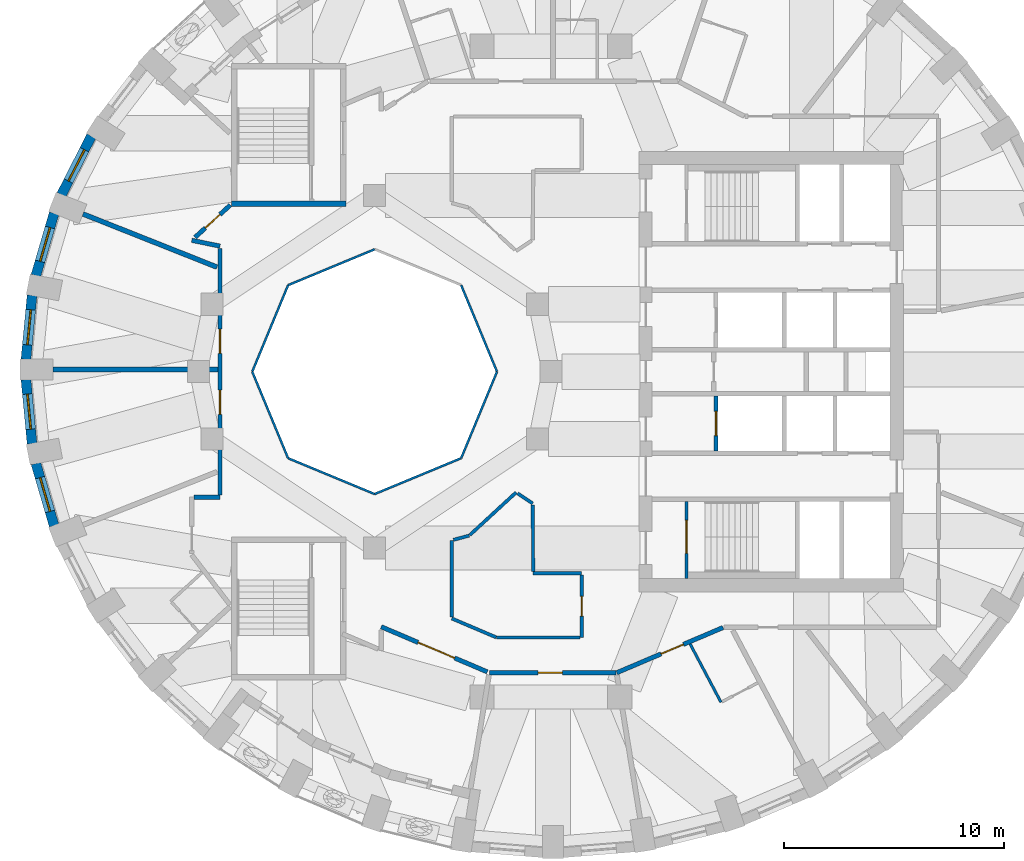
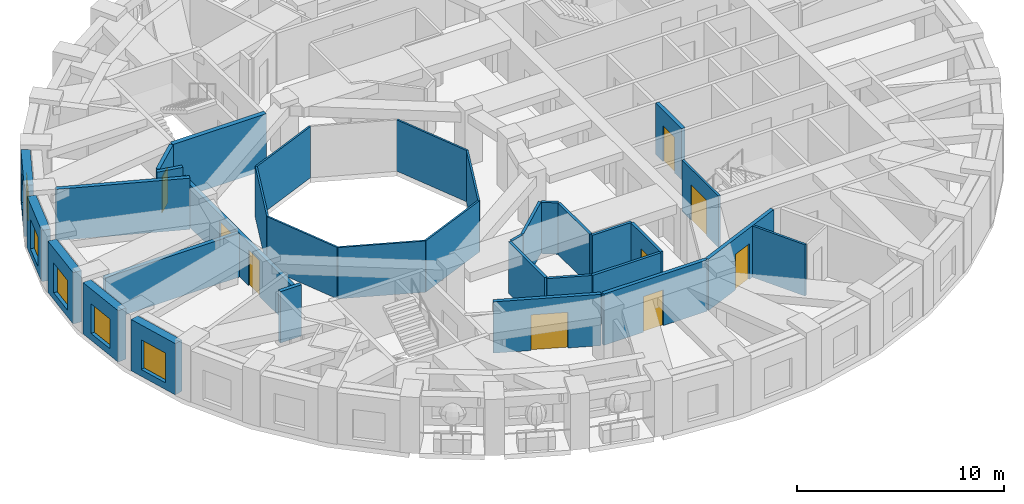
# One storey, part 4 of 12: 34 walls, 9 doors, 5 windows, 14 openings.
"""IFC4 building model written with IfcOpenShell, lengths in metres."""

import ifcopenshell
import ifcopenshell.guid

model = None  # the IFC model being written
_history = None  # IfcOwnerHistory: only IFC2X3 demands one
_inside = {}  # id of a spatial element -> (the spatial element, [elements in it])
_under = {}  # id of a project, library or spatial element -> (it, [spatial elements below it])
_declared = {}  # id of a project -> (the project, [libraries it declares])
_typed = {}  # id of a type object -> (the type object, [elements of that type])
_made_of = {}  # id of a material, layer set ... -> (it, [elements and type objects made of it])


def new_model(schema):
    """Start an empty IFC model of exactly this schema.

    Asked for "IFC4X3", IfcOpenShell would pick the latest addendum, in which some entities
    have other attributes; the version numbers below select the first issue.
    IFC2X3 requires an IfcOwnerHistory on every rooted entity: one is made here for all.
    """
    global model, _history
    if schema == "IFC4X3":
        model = ifcopenshell.file(schema_version=(4, 3, 0, 0))
    else:
        model = ifcopenshell.file(schema=schema)
    _inside.clear()
    _under.clear()
    _declared.clear()
    _typed.clear()
    _made_of.clear()
    _history = None
    if model.schema == "IFC2X3":
        org = make("IfcOrganization", Name="unknown")
        user = make(
            "IfcPersonAndOrganization",
            ThePerson=make("IfcPerson", FamilyName="unknown"),
            TheOrganization=org,
        )
        app = make(
            "IfcApplication",
            ApplicationDeveloper=org,
            Version="unknown",
            ApplicationFullName="unknown",
            ApplicationIdentifier="unknown",
        )
        _history = make(
            "IfcOwnerHistory",
            OwningUser=user,
            OwningApplication=app,
            ChangeAction="ADDED",
            CreationDate=0,
        )
    return model


def make(cls, **values):
    """One entity of the class cls with the attributes given. An attribute that is None is left unset."""
    return model.create_entity(
        cls, **{name: value for name, value in values.items() if value is not None}
    )


def rooted(cls, **values):
    """An entity with a GlobalId (a new one), such as an element, a storey or a relation."""
    return make(cls, GlobalId=ifcopenshell.guid.new(), OwnerHistory=_history, **values)


def si_unit(unit_type, name, prefix=None):
    """IfcSIUnit, for example si_unit("LENGTHUNIT", "METRE", prefix="MILLI")."""
    return make("IfcSIUnit", UnitType=unit_type, Prefix=prefix, Name=name)


def assignment(units):
    """IfcUnitAssignment: the units of a project."""
    return None if units is None else make("IfcUnitAssignment", Units=units)


def point(xyz):
    """IfcCartesianPoint."""
    return None if xyz is None else make("IfcCartesianPoint", Coordinates=xyz)


def direction(xyz):
    """IfcDirection."""
    return None if xyz is None else make("IfcDirection", DirectionRatios=xyz)


def frame(location, z_axis=None, x_axis=None):
    """IfcAxis2Placement3D, a coordinate frame: its origin and axes. An axis left out is left unset."""
    return make(
        "IfcAxis2Placement3D",
        Location=point(location),
        Axis=direction(z_axis),
        RefDirection=direction(x_axis),
    )


def frame_2d(location, x_axis=None):
    """IfcAxis2Placement2D, a coordinate frame in the plane: its origin and x axis."""
    return make(
        "IfcAxis2Placement2D", Location=point(location), RefDirection=direction(x_axis)
    )


def origin():
    """The frame at (0, 0, 0) with its axes left unset."""
    return frame((0.0, 0.0, 0.0))


def place(relative_to, where):
    """IfcLocalPlacement: puts the frame where relative to a parent placement (None: the world)."""
    return make(
        "IfcLocalPlacement", PlacementRelTo=relative_to, RelativePlacement=where
    )


def context(
    kind, dimensions, precision=None, world=None, true_north=None, identifier=None
):
    """IfcGeometricRepresentationContext, for example the 3D "Model" context."""
    return make(
        "IfcGeometricRepresentationContext",
        ContextIdentifier=identifier,
        ContextType=kind,
        CoordinateSpaceDimension=dimensions,
        Precision=precision,
        WorldCoordinateSystem=world,
        TrueNorth=true_north,
    )


def subcontext(parent, identifier, kind, view, scale=None):
    """IfcGeometricRepresentationSubContext, for example "Body" below "Model"."""
    return make(
        "IfcGeometricRepresentationSubContext",
        ContextIdentifier=identifier,
        ContextType=kind,
        ParentContext=parent,
        TargetScale=scale,
        TargetView=view,
    )


def project(units=None, contexts=None):
    """IfcProject with its units and contexts."""
    return rooted(
        "IfcProject",
        Name="project",
        RepresentationContexts=contexts,
        UnitsInContext=assignment(units),
    )


def spatial(cls, under=None, at=None, **own):
    """A site, building, storey or space (cls), placed at a placement, below another one or the project."""
    s = rooted(cls, ObjectPlacement=at, **own)
    if under is not None:
        _under.setdefault(under.id(), (under, []))[1].append(s)
    return s


def profile(cls, at=None, kind="AREA", **sizes):
    """A parametric profile (cls). Its sizes go by their IFC names, for example OverallWidth=200.0."""
    return make(cls, ProfileType=kind, Position=at, **sizes)


def rectangle(**sizes):
    """IfcRectangleProfileDef."""
    return profile("IfcRectangleProfileDef", **sizes)


def extrude(swept, where, along, depth):
    """IfcExtrudedAreaSolid: the profile swept, set in the frame where, extruded along a direction by depth."""
    return make(
        "IfcExtrudedAreaSolid",
        SweptArea=swept,
        Position=where,
        ExtrudedDirection=direction(along),
        Depth=depth,
    )


def shape(context_of_items, identifier, shape_type, items):
    """IfcShapeRepresentation: the items that make up one representation, for example the "Body"."""
    return make(
        "IfcShapeRepresentation",
        ContextOfItems=context_of_items,
        RepresentationIdentifier=identifier,
        RepresentationType=shape_type,
        Items=items,
    )


def material(Name=None, Category=None):
    """IfcMaterial."""
    return make("IfcMaterial", Name=Name, Category=Category)


def layer(
    of_material, thickness, ventilated=None, Name=None, Category=None, Priority=None
):
    """IfcMaterialLayer: one layer of a wall or slab, of a material (None: an air gap)."""
    return make(
        "IfcMaterialLayer",
        Material=of_material,
        LayerThickness=thickness,
        IsVentilated=ventilated,
        Name=Name,
        Category=Category,
        Priority=Priority,
    )


def layer_set(layers, Name=None):
    """IfcMaterialLayerSet."""
    return make("IfcMaterialLayerSet", MaterialLayers=layers, LayerSetName=Name)


def made_of(thing, what):
    """Note that an element or type object is made of a material, layer set ...; save() writes the relation."""
    if what is not None:
        _made_of.setdefault(what.id(), (what, []))[1].append(thing)
    return thing


def type_object(cls, material=None, **own):
    """A type object (cls), such as IfcWallType, which elements share."""
    return made_of(rooted(cls, **own), material)


def element(
    cls,
    number,
    at=None,
    inside=None,
    cuts=None,
    type_object=None,
    material=None,
    context=None,
    identifier="Body",
    shape_type=None,
    held_by="IfcProductDefinitionShape",
    body=None,
    shapes=None,
    **own,
):
    """One element of the class cls, such as IfcWall. Its Tag is "e" and its number.

    at: its placement. inside: the storey or other place that contains it. cuts: it is an
    opening in that element (IfcRelVoidsElement). A single representation is given by context,
    identifier, shape_type and body (its items); several are given by shapes. held_by: the class
    of the entity that holds the representations. save() writes the other relations.
    """
    e = rooted(cls, Tag="e%d" % number, ObjectPlacement=at, **own)
    if body is not None:
        shapes = [shape(context, identifier, shape_type, body)]
    if shapes is not None:
        e.Representation = make(held_by, Representations=shapes)
    if inside is not None:
        _inside.setdefault(inside.id(), (inside, []))[1].append(e)
    if cuts is not None:
        rooted(
            "IfcRelVoidsElement", RelatingBuildingElement=cuts, RelatedOpeningElement=e
        )
    if type_object is not None:
        _typed.setdefault(type_object.id(), (type_object, []))[1].append(e)
    return made_of(e, material)


def fill(opening, filler):
    """IfcRelFillsElement: the door or window that sits in an opening."""
    return rooted(
        "IfcRelFillsElement",
        RelatingOpeningElement=opening,
        RelatedBuildingElement=filler,
    )


def aggregate(whole, parts):
    """IfcRelAggregates: a whole, such as a stair, and the parts it consists of."""
    return rooted("IfcRelAggregates", RelatingObject=whole, RelatedObjects=parts)


def save(model, path):
    """Write the relations noted so far, then the file.

    IfcRelAggregates (storeys below a building ...), IfcRelContainedInSpatialStructure (elements
    in a storey), IfcRelDefinesByType, IfcRelAssociatesMaterial and IfcRelDeclares: one each for
    every whole, place, type object, material and project.
    """
    for whole, parts in _under.values():
        aggregate(whole, parts)
    for where, things in _inside.values():
        rooted(
            "IfcRelContainedInSpatialStructure",
            RelatedElements=things,
            RelatingStructure=where,
        )
    for kind, things in _typed.values():
        rooted("IfcRelDefinesByType", RelatedObjects=things, RelatingType=kind)
    for what, things in _made_of.values():
        rooted("IfcRelAssociatesMaterial", RelatedObjects=things, RelatingMaterial=what)
    for by, libraries in _declared.values():
        rooted("IfcRelDeclares", RelatingContext=by, RelatedDefinitions=libraries)
    model.write(path)


model = new_model("IFC4")

# Units and contexts
model_context = context("Model", 3, precision=1e-05, world=origin(), true_north=direction((0.0, 1.0)))
body_context = subcontext(model_context, "Body", "Model", "MODEL_VIEW")
ifc_project = project(units=[si_unit("LENGTHUNIT", "METRE"), si_unit("AREAUNIT", "SQUARE_METRE"), si_unit("VOLUMEUNIT", "CUBIC_METRE"), si_unit("PLANEANGLEUNIT", "RADIAN"), si_unit("MASSUNIT", "GRAM", prefix="KILO")], contexts=[model_context])

# Site, building, storey
site_placement = place(None, origin())
site = spatial("IfcSite", under=ifc_project, at=site_placement, CompositionType="ELEMENT")
building_placement = place(site_placement, origin())
building = spatial("IfcBuilding", under=site, at=building_placement, Name="Taillehof Tower", CompositionType="ELEMENT")
storey_placement = place(building_placement, frame((0.0, 0.0, 171.5)))
storey = spatial("IfcBuildingStorey", under=building, at=storey_placement, Name="L48", CompositionType="ELEMENT", Elevation=171.5)

# Walls
ifc_material_1 = material(Name="Fire-resisting glass in steel frame", Category="steel")
ifc_layer_1 = layer(ifc_material_1, 0.10009765625)
ifc_layer_set_1 = layer_set([ifc_layer_1], Name="Atrium fire-resisting screen EI 60 100")
wall_type_1 = type_object("IfcWallType", Name="Atrium fire-resisting screen EI 60 100", PredefinedType="PARTITIONING", material=ifc_layer_set_1)
for number, where, z_axis, x_axis, name in (
    (1, (-2.44580078125, 0.0, 0.0), (0.0, 0.0, 1.0), (-0.382730523909, -0.923860025149, 0.0), "Atrium screen"),
    (2, (-4.07275390625, -3.92724609375, 0.0), (0.0, 0.0, 1.0), (-0.923860025149, -0.382730523909, 0.0), "Atrium screen"),
    (3, (-8.0, -5.55419921875, 0.0), (0.0, 0.0, 1.0), (-0.923860025149, 0.382730523909, 0.0), "Atrium screen"),
    (4, (-11.92724609375, -3.92724609375, 0.0), (0.0, 0.0, 1.0), (-0.382730523909, 0.923860025149, 0.0), "Atrium screen"),
    (5, (-13.55419921875, 0.0, 0.0), (0.0, 0.0, 1.0), (0.382730523909, 0.923860025149, 0.0), "Atrium screen"),
    (6, (-11.92724609375, 3.92724609375, 0.0), (0.0, 0.0, 1.0), (0.923860025149, 0.382730523909, 0.0), "Atrium screen"),
    (7, (-4.07275390625, 3.92724609375, 0.0), (0.0, 0.0, 1.0), (0.382730523909, -0.923860025149, 0.0), "Atrium screen"),
):
    element("IfcWall", number, at=place(storey_placement, frame(where, z_axis=z_axis, x_axis=x_axis)), inside=storey, type_object=wall_type_1, Name=name, PredefinedType="PARTITIONING", context=body_context, shape_type="SweptSolid", body=[
        extrude(rectangle(XDim=4.2509765625, YDim=0.10009765625, at=frame_2d((2.12548828125, 0.0))), origin(), (0.0, 0.0, 1.0), 3.02001953125),
    ])

# Wall, opening, window
ifc_material_2 = material(Name="Brick masonry", Category="masonry")
ifc_layer_2 = layer(ifc_material_2, 0.449951171875)
ifc_layer_set_2 = layer_set([ifc_layer_2], Name="Brick infill wall 450")
wall_type_2 = type_object("IfcWallType", Name="Brick infill wall 450", PredefinedType="SOLIDWALL", material=ifc_layer_set_2)
wall_1_placement = place(storey_placement, frame((-20.859375, 10.697021484375, 0.0), z_axis=(0.0, 0.0, 1.0), x_axis=(-0.454133999889, -0.890933392653, 0.0)))
wall_1 = element("IfcWall", 8, at=wall_1_placement, inside=storey, type_object=wall_type_2, Name="Brick wall L48 bay 16", PredefinedType="SOLIDWALL", context=body_context, shape_type="SweptSolid", body=[
    extrude(rectangle(XDim=2.98583984375, YDim=0.449951171875, at=frame_2d((1.492919921875, 0.0))), origin(), (0.0, 0.0, 1.0), 3.02001953125),
])
opening_1_placement = place(wall_1_placement, frame((0.69287109375, 0.0, 0.39990234375)))
opening_1 = element("IfcOpeningElement", 9, at=opening_1_placement, cuts=wall_1, Name="Opening W3", PredefinedType="OPENING", context=body_context, shape_type="SweptSolid", body=[
    extrude(rectangle(XDim=1.60009765625, YDim=1.75, at=frame_2d((0.800048828125, 0.875))), frame((0.0, 0.23486328125, 0.0), z_axis=(0.0, -1.0, 0.0), x_axis=(1.0, 0.0, 0.0)), (0.0, 0.0, 1.0), 0.469970703125),
])
ifc_material_3 = material(Name="Aluminium window frame with clear double glazing", Category="aluminium")
window_type = type_object("IfcWindowType", Name="Deep-set window 1600x1750", PartitioningType="SINGLE_PANEL", PredefinedType="WINDOW", material=ifc_material_3)
window_1_placement = place(opening_1_placement, origin())
window_1 = element("IfcWindow", 10, at=window_1_placement, inside=storey, type_object=window_type, Name="W3", OverallHeight=1.75, OverallWidth=1.60009765625, PartitioningType="SINGLE_PANEL", PredefinedType="WINDOW", context=body_context, shape_type="SweptSolid", body=[
    extrude(rectangle(XDim=1.60009765625, YDim=1.75, at=frame_2d((0.800048828125, 0.875))), frame((0.0, 0.034912109375, 0.0), z_axis=(0.0, -1.0, 0.0), x_axis=(1.0, 0.0, 0.0)), (0.0, 0.0, 1.0), 0.06005859375),
])
fill(opening_1, window_1)

wall_2_placement = place(storey_placement, frame((-22.55126953125, 7.19091796875, 0.0), z_axis=(0.0, 0.0, 1.0), x_axis=(-0.281125768296, -0.959670934435, 0.0)))
wall_2 = element("IfcWall", 11, at=wall_2_placement, inside=storey, type_object=wall_type_2, Name="Brick wall L48 bay 17", PredefinedType="SOLIDWALL", context=body_context, shape_type="SweptSolid", body=[
    extrude(rectangle(XDim=2.947509765625, YDim=0.449951171875, at=frame_2d((1.4736328125, 0.0))), origin(), (0.0, 0.0, 1.0), 3.02001953125),
])
opening_2_placement = place(wall_2_placement, frame((0.673583984375, 0.0, 0.39990234375)))
opening_2 = element("IfcOpeningElement", 12, at=opening_2_placement, cuts=wall_2, Name="Opening W3", PredefinedType="OPENING", context=body_context, shape_type="SweptSolid", body=[
    extrude(rectangle(XDim=1.60009765625, YDim=1.75, at=frame_2d((0.800048828125, 0.875))), frame((0.0, 0.23486328125, 0.0), z_axis=(0.0, -1.0, 0.0), x_axis=(1.0, 0.0, 0.0)), (0.0, 0.0, 1.0), 0.469970703125),
])
window_2_placement = place(opening_2_placement, origin())
window_2 = element("IfcWindow", 13, at=window_2_placement, inside=storey, type_object=window_type, Name="W3", OverallHeight=1.75, OverallWidth=1.60009765625, PartitioningType="SINGLE_PANEL", PredefinedType="WINDOW", context=body_context, shape_type="SweptSolid", body=[
    extrude(rectangle(XDim=1.60009765625, YDim=1.75, at=frame_2d((0.800048828125, 0.875))), frame((0.0, 0.034912109375, 0.0), z_axis=(0.0, -1.0, 0.0), x_axis=(1.0, 0.0, 0.0)), (0.0, 0.0, 1.0), 0.06005859375),
])
fill(opening_2, window_2)

wall_3_placement = place(storey_placement, frame((-23.5517578125, 3.468505859375, 0.0), z_axis=(0.0, 0.0, 1.0), x_axis=(-0.095265737322, -0.995451876935, 0.0)))
wall_3 = element("IfcWall", 14, at=wall_3_placement, inside=storey, type_object=wall_type_2, Name="Brick wall L48 bay 18", PredefinedType="SOLIDWALL", context=body_context, shape_type="SweptSolid", body=[
    extrude(rectangle(XDim=2.9267578125, YDim=0.449951171875, at=frame_2d((1.46337890625, 0.0))), origin(), (0.0, 0.0, 1.0), 3.02001953125),
])
opening_3_placement = place(wall_3_placement, frame((0.663330078125, 0.0, 0.39990234375)))
opening_3 = element("IfcOpeningElement", 15, at=opening_3_placement, cuts=wall_3, Name="Opening W3", PredefinedType="OPENING", context=body_context, shape_type="SweptSolid", body=[
    extrude(rectangle(XDim=1.60009765625, YDim=1.75, at=frame_2d((0.800048828125, 0.875))), frame((0.0, 0.23486328125, 0.0), z_axis=(0.0, -1.0, 0.0), x_axis=(1.0, 0.0, 0.0)), (0.0, 0.0, 1.0), 0.469970703125),
])
window_3_placement = place(opening_3_placement, origin())
window_3 = element("IfcWindow", 16, at=window_3_placement, inside=storey, type_object=window_type, Name="W3", OverallHeight=1.75, OverallWidth=1.60009765625, PartitioningType="SINGLE_PANEL", PredefinedType="WINDOW", context=body_context, shape_type="SweptSolid", body=[
    extrude(rectangle(XDim=1.60009765625, YDim=1.75, at=frame_2d((0.800048828125, 0.875))), frame((0.0, 0.034912109375, 0.0), z_axis=(0.0, -1.0, 0.0), x_axis=(1.0, 0.0, 0.0)), (0.0, 0.0, 1.0), 0.06005859375),
])
fill(opening_3, window_3)

wall_4_placement = place(storey_placement, frame((-23.83056640625, -0.35498046875, 0.0), z_axis=(0.0, 0.0, 1.0), x_axis=(0.095257827044, -0.995452633924, 0.0)))
wall_4 = element("IfcWall", 17, at=wall_4_placement, inside=storey, type_object=wall_type_2, Name="Brick wall L48 bay 19", PredefinedType="SOLIDWALL", context=body_context, shape_type="SweptSolid", body=[
    extrude(rectangle(XDim=2.927001953125, YDim=0.449951171875, at=frame_2d((1.46337890625, 0.0))), origin(), (0.0, 0.0, 1.0), 3.02001953125),
])
opening_4_placement = place(wall_4_placement, frame((0.663330078125, 0.0, 0.39990234375)))
opening_4 = element("IfcOpeningElement", 18, at=opening_4_placement, cuts=wall_4, Name="Opening W3", PredefinedType="OPENING", context=body_context, shape_type="SweptSolid", body=[
    extrude(rectangle(XDim=1.60009765625, YDim=1.75, at=frame_2d((0.800048828125, 0.875))), frame((0.0, 0.23486328125, 0.0), z_axis=(0.0, -1.0, 0.0), x_axis=(1.0, 0.0, 0.0)), (0.0, 0.0, 1.0), 0.469970703125),
])
window_4_placement = place(opening_4_placement, origin())
window_4 = element("IfcWindow", 19, at=window_4_placement, inside=storey, type_object=window_type, Name="W3", OverallHeight=1.75, OverallWidth=1.60009765625, PartitioningType="SINGLE_PANEL", PredefinedType="WINDOW", context=body_context, shape_type="SweptSolid", body=[
    extrude(rectangle(XDim=1.60009765625, YDim=1.75, at=frame_2d((0.800048828125, 0.875))), frame((0.0, 0.034912109375, 0.0), z_axis=(0.0, -1.0, 0.0), x_axis=(1.0, 0.0, 0.0)), (0.0, 0.0, 1.0), 0.06005859375),
])
fill(opening_4, window_4)

wall_5_placement = place(storey_placement, frame((-23.3798828125, -4.162353515625, 0.0), z_axis=(0.0, 0.0, 1.0), x_axis=(0.281125768296, -0.959670934435, 0.0)))
wall_5 = element("IfcWall", 20, at=wall_5_placement, inside=storey, type_object=wall_type_2, Name="Brick wall L48 bay 20", PredefinedType="SOLIDWALL", context=body_context, shape_type="SweptSolid", body=[
    extrude(rectangle(XDim=2.947509765625, YDim=0.449951171875, at=frame_2d((1.4736328125, 0.0))), origin(), (0.0, 0.0, 1.0), 3.02001953125),
])
opening_5_placement = place(wall_5_placement, frame((0.673583984375, 0.0, 0.39990234375)))
opening_5 = element("IfcOpeningElement", 21, at=opening_5_placement, cuts=wall_5, Name="Opening W3", PredefinedType="OPENING", context=body_context, shape_type="SweptSolid", body=[
    extrude(rectangle(XDim=1.60009765625, YDim=1.75, at=frame_2d((0.800048828125, 0.875))), frame((0.0, 0.23486328125, 0.0), z_axis=(0.0, -1.0, 0.0), x_axis=(1.0, 0.0, 0.0)), (0.0, 0.0, 1.0), 0.469970703125),
])
window_5_placement = place(opening_5_placement, origin())
window_5 = element("IfcWindow", 22, at=window_5_placement, inside=storey, type_object=window_type, Name="W3", OverallHeight=1.75, OverallWidth=1.60009765625, PartitioningType="SINGLE_PANEL", PredefinedType="WINDOW", context=body_context, shape_type="SweptSolid", body=[
    extrude(rectangle(XDim=1.60009765625, YDim=1.75, at=frame_2d((0.800048828125, 0.875))), frame((0.0, 0.034912109375, 0.0), z_axis=(0.0, -1.0, 0.0), x_axis=(1.0, 0.0, 0.0)), (0.0, 0.0, 1.0), 0.06005859375),
])
fill(opening_5, window_5)

# Wall
ifc_material_4 = material(Name="Gypsum board on steel studs, two layers each side", Category="steel")
ifc_layer_3 = layer(ifc_material_4, 0.199951171875)
ifc_layer_set_3 = layer_set([ifc_layer_3], Name="Compartment wall corridor 200")
wall_type_3 = type_object("IfcWallType", Name="Compartment wall corridor 200", PredefinedType="PARTITIONING", material=ifc_layer_set_3)
wall_6_placement = place(storey_placement, frame((-15.0185546875, 5.699951171875, 0.0), z_axis=(0.0, 0.0, 1.0), x_axis=(-0.979555577822, 0.201173730785, 0.0)))
element("IfcWall", 23, at=wall_6_placement, inside=storey, type_object=wall_type_3, Name="Compartment wall", PredefinedType="PARTITIONING", context=body_context, shape_type="SweptSolid", body=[
    extrude(rectangle(XDim=1.308349609375, YDim=0.199951171875, at=frame_2d((0.654296875, 0.0))), origin(), (0.0, 0.0, 1.0), 3.02001953125),
])

# Wall, opening, door
wall_7_placement = place(storey_placement, frame((-16.153564453125, 6.097412109375, 0.0), z_axis=(0.0, 0.0, 1.0), x_axis=(0.736958194284, 0.675938325498, 0.0)))
wall_7 = element("IfcWall", 24, at=wall_7_placement, inside=storey, type_object=wall_type_3, Name="Compartment wall", PredefinedType="PARTITIONING", context=body_context, shape_type="SweptSolid", body=[
    extrude(rectangle(XDim=2.172607421875, YDim=0.199951171875, at=frame_2d((1.08642578125, 0.0))), origin(), (0.0, 0.0, 1.0), 3.02001953125),
])
opening_6_placement = place(wall_7_placement, frame((0.63623046875, 0.0, 0.0)))
opening_6 = element("IfcOpeningElement", 25, at=opening_6_placement, cuts=wall_7, Name="Opening D4847", PredefinedType="OPENING", context=body_context, shape_type="SweptSolid", body=[
    extrude(rectangle(XDim=0.89990234375, YDim=2.10009765625, at=frame_2d((0.449951171875, 1.050048828125))), frame((0.0, 0.10986328125, 0.0), z_axis=(0.0, -1.0, 0.0), x_axis=(1.0, 0.0, 0.0)), (0.0, 0.0, 1.0), 0.219970703125),
])
ifc_material_5 = material(Name="Timber door leaf in steel frame", Category="steel")
door_type_1 = type_object("IfcDoorType", Name="Service room door EI 30 900 x 2100", OperationType="SINGLE_SWING_LEFT", PredefinedType="DOOR", material=ifc_material_5)
door_1_placement = place(opening_6_placement, origin())
door_1 = element("IfcDoor", 26, at=door_1_placement, inside=storey, type_object=door_type_1, Name="D4847", OperationType="SINGLE_SWING_RIGHT", OverallHeight=2.10009765625, OverallWidth=0.89990234375, PredefinedType="DOOR", context=body_context, shape_type="SweptSolid", body=[
    extrude(rectangle(XDim=0.89990234375, YDim=2.10009765625, at=frame_2d((0.449951171875, 1.050048828125))), frame((0.0, 0.02490234375, 0.0), z_axis=(0.0, -1.0, 0.0), x_axis=(1.0, 0.0, 0.0)), (0.0, 0.0, 1.0), 0.050048828125),
])
fill(opening_6, door_1)

wall_8_placement = place(storey_placement, frame((7.81640625, -11.61572265625, 0.0), z_axis=(0.0, 0.0, 1.0), x_axis=(-0.92017534212, -0.391506500271, 0.0)))
wall_8 = element("IfcWall", 27, at=wall_8_placement, inside=storey, type_object=wall_type_3, Name="Compartment wall", PredefinedType="PARTITIONING", context=body_context, shape_type="SweptSolid", body=[
    extrude(rectangle(XDim=5.241943359375, YDim=0.199951171875, at=frame_2d((2.62109375, 0.0))), origin(), (0.0, 0.0, 1.0), 3.02001953125),
])
opening_7_placement = place(wall_8_placement, frame((1.958740234375, 0.0, 0.0)))
opening_7 = element("IfcOpeningElement", 28, at=opening_7_placement, cuts=wall_8, Name="Opening D4854", PredefinedType="OPENING", context=body_context, shape_type="SweptSolid", body=[
    extrude(rectangle(XDim=1.10009765625, YDim=2.10009765625, at=frame_2d((0.550048828125, 1.050048828125))), frame((0.0, 0.10986328125, 0.0), z_axis=(0.0, -1.0, 0.0), x_axis=(1.0, 0.0, 0.0)), (0.0, 0.0, 1.0), 0.219970703125),
])
ifc_material_6 = material(Name="Timber door leaf in steel frame", Category="steel")
door_type_2 = type_object("IfcDoorType", Name="Suite entrance door EI 30 1100 x 2100", OperationType="SINGLE_SWING_LEFT", PredefinedType="DOOR", material=ifc_material_6)
door_2_placement = place(opening_7_placement, origin())
door_2 = element("IfcDoor", 29, at=door_2_placement, inside=storey, type_object=door_type_2, Name="D4854", OperationType="SINGLE_SWING_LEFT", OverallHeight=2.10009765625, OverallWidth=1.10009765625, PredefinedType="DOOR", context=body_context, shape_type="SweptSolid", body=[
    extrude(rectangle(XDim=1.10009765625, YDim=2.10009765625, at=frame_2d((0.550048828125, 1.050048828125))), frame((0.0, 0.02490234375, 0.0), z_axis=(0.0, -1.0, 0.0), x_axis=(1.0, 0.0, 0.0)), (0.0, 0.0, 1.0), 0.050048828125),
])
fill(opening_7, door_2)

wall_9_placement = place(storey_placement, frame((2.952880859375, -13.66796875, 0.0), z_axis=(0.0, 0.0, 1.0), x_axis=(-1.0, 0.0, 0.0)))
wall_9 = element("IfcWall", 30, at=wall_9_placement, inside=storey, type_object=wall_type_3, Name="Compartment wall", PredefinedType="PARTITIONING", context=body_context, shape_type="SweptSolid", body=[
    extrude(rectangle(XDim=5.745849609375, YDim=0.199951171875, at=frame_2d((2.873046875, 0.0))), origin(), (0.0, 0.0, 1.0), 3.02001953125),
])
opening_8_placement = place(wall_9_placement, frame((2.4267578125, 0.0, 0.0)))
opening_8 = element("IfcOpeningElement", 31, at=opening_8_placement, cuts=wall_9, Name="Opening D4853", PredefinedType="OPENING", context=body_context, shape_type="SweptSolid", body=[
    extrude(rectangle(XDim=1.10009765625, YDim=2.10009765625, at=frame_2d((0.550048828125, 1.050048828125))), frame((0.0, 0.10986328125, 0.0), z_axis=(0.0, -1.0, 0.0), x_axis=(1.0, 0.0, 0.0)), (0.0, 0.0, 1.0), 0.219970703125),
])
door_3_placement = place(opening_8_placement, origin())
door_3 = element("IfcDoor", 32, at=door_3_placement, inside=storey, type_object=door_type_2, Name="D4853", OperationType="SINGLE_SWING_RIGHT", OverallHeight=2.10009765625, OverallWidth=1.10009765625, PredefinedType="DOOR", context=body_context, shape_type="SweptSolid", body=[
    extrude(rectangle(XDim=1.10009765625, YDim=2.10009765625, at=frame_2d((0.550048828125, 1.050048828125))), frame((0.0, 0.02490234375, 0.0), z_axis=(0.0, -1.0, 0.0), x_axis=(1.0, 0.0, 0.0)), (0.0, 0.0, 1.0), 0.050048828125),
])
fill(opening_8, door_3)

wall_10_placement = place(storey_placement, frame((-2.884521484375, -13.62890625, 0.0), z_axis=(0.0, 0.0, 1.0), x_axis=(-0.920174661578, 0.391508099775, 0.0)))
wall_10 = element("IfcWall", 33, at=wall_10_placement, inside=storey, type_object=wall_type_3, Name="Compartment wall", PredefinedType="PARTITIONING", context=body_context, shape_type="SweptSolid", body=[
    extrude(rectangle(XDim=5.233154296875, YDim=0.199951171875, at=frame_2d((2.61669921875, 0.0))), origin(), (0.0, 0.0, 1.0), 3.02001953125),
])
opening_9_placement = place(wall_10_placement, frame((1.611572265625, 0.0, 0.0)))
opening_9 = element("IfcOpeningElement", 34, at=opening_9_placement, cuts=wall_10, Name="Opening D4852", PredefinedType="OPENING", context=body_context, shape_type="SweptSolid", body=[
    extrude(rectangle(XDim=1.800048828125, YDim=2.10009765625, at=frame_2d((0.89990234375, 1.050048828125))), frame((0.0, 0.10986328125, 0.0), z_axis=(0.0, -1.0, 0.0), x_axis=(1.0, 0.0, 0.0)), (0.0, 0.0, 1.0), 0.219970703125),
])
ifc_material_7 = material(Name="Timber door leaf in steel frame", Category="steel")
door_type_3 = type_object("IfcDoorType", Name="Lounge and meeting room double door EI 30 1800 x 2100", OperationType="SINGLE_SWING_LEFT", PredefinedType="DOOR", material=ifc_material_7)
door_4_placement = place(opening_9_placement, origin())
door_4 = element("IfcDoor", 35, at=door_4_placement, inside=storey, type_object=door_type_3, Name="D4852", OperationType="DOUBLE_DOOR_SINGLE_SWING", OverallHeight=2.10009765625, OverallWidth=1.800048828125, PredefinedType="DOOR", context=body_context, shape_type="SweptSolid", body=[
    extrude(rectangle(XDim=1.800048828125, YDim=2.10009765625, at=frame_2d((0.89990234375, 1.050048828125))), frame((0.0, 0.02490234375, 0.0), z_axis=(0.0, -1.0, 0.0), x_axis=(1.0, 0.0, 0.0)), (0.0, 0.0, 1.0), 0.050048828125),
])
fill(opening_9, door_4)

# Wall
wall_11_placement = place(storey_placement, frame((-16.199951171875, -5.699951171875, 0.0), z_axis=(0.0, 0.0, 1.0), x_axis=(1.0, 0.0, 0.0)))
element("IfcWall", 36, at=wall_11_placement, inside=storey, type_object=wall_type_3, Name="Compartment wall", PredefinedType="PARTITIONING", context=body_context, shape_type="SweptSolid", body=[
    extrude(rectangle(XDim=1.181396484375, YDim=0.199951171875, at=frame_2d((0.5908203125, 0.0))), origin(), (0.0, 0.0, 1.0), 3.02001953125),
])

# Wall, openings, doors
wall_12_placement = place(storey_placement, frame((-15.0185546875, -5.599853515625, 0.0), z_axis=(0.0, 0.0, 1.0), x_axis=(0.0, 1.0, 0.0)))
wall_12 = element("IfcWall", 37, at=wall_12_placement, inside=storey, type_object=wall_type_3, Name="Compartment wall", PredefinedType="PARTITIONING", context=body_context, shape_type="SweptSolid", body=[
    extrude(rectangle(XDim=11.19970703125, YDim=0.199951171875, at=frame_2d((5.599853515625, 0.0))), origin(), (0.0, 0.0, 1.0), 2.52001953125),
])
opening_10_placement = place(wall_12_placement, frame((6.435546875, 0.0, 0.0)))
opening_10 = element("IfcOpeningElement", 38, at=opening_10_placement, cuts=wall_12, Name="Opening D4848", PredefinedType="OPENING", context=body_context, shape_type="SweptSolid", body=[
    extrude(rectangle(XDim=1.10009765625, YDim=2.10009765625, at=frame_2d((0.550048828125, 1.050048828125))), frame((0.0, 0.10986328125, 0.0), z_axis=(0.0, -1.0, 0.0), x_axis=(1.0, 0.0, 0.0)), (0.0, 0.0, 1.0), 0.219970703125),
])
opening_11_placement = place(wall_12_placement, frame((3.663330078125, 0.0, 0.0)))
opening_11 = element("IfcOpeningElement", 39, at=opening_11_placement, cuts=wall_12, Name="Opening D4849", PredefinedType="OPENING", context=body_context, shape_type="SweptSolid", body=[
    extrude(rectangle(XDim=1.10009765625, YDim=2.10009765625, at=frame_2d((0.550048828125, 1.050048828125))), frame((0.0, 0.10986328125, 0.0), z_axis=(0.0, -1.0, 0.0), x_axis=(1.0, 0.0, 0.0)), (0.0, 0.0, 1.0), 0.219970703125),
])
door_5_placement = place(opening_10_placement, origin())
door_5 = element("IfcDoor", 40, at=door_5_placement, inside=storey, type_object=door_type_2, Name="D4848", OperationType="SINGLE_SWING_LEFT", OverallHeight=2.10009765625, OverallWidth=1.10009765625, PredefinedType="DOOR", context=body_context, shape_type="SweptSolid", body=[
    extrude(rectangle(XDim=1.10009765625, YDim=2.10009765625, at=frame_2d((0.550048828125, 1.050048828125))), frame((0.0, 0.02490234375, 0.0), z_axis=(0.0, -1.0, 0.0), x_axis=(1.0, 0.0, 0.0)), (0.0, 0.0, 1.0), 0.050048828125),
])
fill(opening_10, door_5)
door_6_placement = place(opening_11_placement, origin())
door_6 = element("IfcDoor", 41, at=door_6_placement, inside=storey, type_object=door_type_2, Name="D4849", OperationType="SINGLE_SWING_RIGHT", OverallHeight=2.10009765625, OverallWidth=1.10009765625, PredefinedType="DOOR", context=body_context, shape_type="SweptSolid", body=[
    extrude(rectangle(XDim=1.10009765625, YDim=2.10009765625, at=frame_2d((0.550048828125, 1.050048828125))), frame((0.0, 0.02490234375, 0.0), z_axis=(0.0, -1.0, 0.0), x_axis=(1.0, 0.0, 0.0)), (0.0, 0.0, 1.0), 0.050048828125),
])
fill(opening_11, door_6)

# Walls
ifc_material_8 = material(Name="Gypsum board on double steel studs with mineral wool", Category="steel")
ifc_layer_4 = layer(ifc_material_8, 0.219970703125)
ifc_layer_set_4 = layer_set([ifc_layer_4], Name="Compartment wall guest room 220")
wall_type_4 = type_object("IfcWallType", Name="Compartment wall guest room 220", PredefinedType="PARTITIONING", material=ifc_layer_set_4)
wall_13_placement = place(storey_placement, frame((-21.23876953125, 7.15966796875, 0.0), z_axis=(0.0, 0.0, 1.0), x_axis=(0.929520145478, -0.368771337215, 0.0)))
element("IfcWall", 42, at=wall_13_placement, inside=storey, type_object=wall_type_4, Name="Compartment wall", PredefinedType="PARTITIONING", context=body_context, shape_type="SweptSolid", body=[
    extrude(rectangle(XDim=6.544189453125, YDim=0.219970703125, at=frame_2d((3.27197265625, 0.0))), origin(), (0.0, 0.0, 1.0), 3.02001953125),
])
wall_14_placement = place(storey_placement, frame((-22.60009765625, 0.10009765625, 0.0), z_axis=(0.0, 0.0, 1.0), x_axis=(1.0, 0.0, 0.0)))
element("IfcWall", 43, at=wall_14_placement, inside=storey, type_object=wall_type_4, Name="Compartment wall", PredefinedType="PARTITIONING", context=body_context, shape_type="SweptSolid", body=[
    extrude(rectangle(XDim=7.4814453125, YDim=0.219970703125, at=frame_2d((3.74072265625, 0.0))), origin(), (0.0, 0.0, 1.0), 2.570068359375),
])
ifc_material_9 = material(Name="Gypsum board on steel studs, two layers each side", Category="steel")
ifc_layer_5 = layer(ifc_material_9, 0.14990234375)
ifc_layer_set_5 = layer_set([ifc_layer_5], Name="Compartment wall service room 150")
wall_type_5 = type_object("IfcWallType", Name="Compartment wall service room 150", PredefinedType="PARTITIONING", material=ifc_layer_set_5)
wall_15_placement = place(storey_placement, frame((-0.800048828125, -9.14990234375, 0.0), z_axis=(0.0, 0.0, 1.0), x_axis=(1.0, 0.0, 0.0)))
element("IfcWall", 44, at=wall_15_placement, inside=storey, type_object=wall_type_5, Name="Compartment wall", PredefinedType="PARTITIONING", context=body_context, shape_type="SweptSolid", body=[
    extrude(rectangle(XDim=2.199951171875, YDim=0.14990234375, at=frame_2d((1.10009765625, 0.0))), origin(), (0.0, 0.0, 1.0), 3.02001953125),
])

# Wall, opening, door
wall_16_placement = place(storey_placement, frame((1.39990234375, -9.22998046875, 0.0), z_axis=(0.0, 0.0, 1.0), x_axis=(0.0, -1.0, 0.0)))
wall_16 = element("IfcWall", 45, at=wall_16_placement, inside=storey, type_object=wall_type_5, Name="Compartment wall", PredefinedType="PARTITIONING", context=body_context, shape_type="SweptSolid", body=[
    extrude(rectangle(XDim=2.837890625, YDim=0.14990234375, at=frame_2d((1.4189453125, 0.0))), origin(), (0.0, 0.0, 1.0), 3.02001953125),
])
opening_12_placement = place(wall_16_placement, frame((0.968994140625, 0.0, 0.0)))
opening_12 = element("IfcOpeningElement", 46, at=opening_12_placement, cuts=wall_16, Name="Opening D4861", PredefinedType="OPENING", context=body_context, shape_type="SweptSolid", body=[
    extrude(rectangle(XDim=0.89990234375, YDim=2.10009765625, at=frame_2d((0.449951171875, 1.050048828125))), frame((0.0, 0.0849609375, 0.0), z_axis=(0.0, -1.0, 0.0), x_axis=(1.0, 0.0, 0.0)), (0.0, 0.0, 1.0), 0.169921875),
])
door_7_placement = place(opening_12_placement, origin())
door_7 = element("IfcDoor", 47, at=door_7_placement, inside=storey, type_object=door_type_1, Name="D4861", OperationType="SINGLE_SWING_LEFT", OverallHeight=2.10009765625, OverallWidth=0.89990234375, PredefinedType="DOOR", context=body_context, shape_type="SweptSolid", body=[
    extrude(rectangle(XDim=0.89990234375, YDim=2.10009765625, at=frame_2d((0.449951171875, 1.050048828125))), frame((0.0, 0.02490234375, 0.0), z_axis=(0.0, -1.0, 0.0), x_axis=(1.0, 0.0, 0.0)), (0.0, 0.0, 1.0), 0.050048828125),
])
fill(opening_12, door_7)

# Walls
wall_17_placement = place(storey_placement, frame((1.31982421875, -12.06787109375, 0.0), z_axis=(0.0, 0.0, 1.0), x_axis=(-1.0, 0.0, 0.0)))
element("IfcWall", 48, at=wall_17_placement, inside=storey, type_object=wall_type_5, Name="Compartment wall", PredefinedType="PARTITIONING", context=body_context, shape_type="SweptSolid", body=[
    extrude(rectangle(XDim=3.786376953125, YDim=0.14990234375, at=frame_2d((1.89306640625, 0.0))), origin(), (0.0, 0.0, 1.0), 3.02001953125),
])
wall_18_placement = place(storey_placement, frame((-2.48486328125, -12.06005859375, 0.0), z_axis=(0.0, 0.0, 1.0), x_axis=(-0.920208468563, 0.391428632557, 0.0)))
element("IfcWall", 49, at=wall_18_placement, inside=storey, type_object=wall_type_5, Name="Compartment wall", PredefinedType="PARTITIONING", context=body_context, shape_type="SweptSolid", body=[
    extrude(rectangle(XDim=2.18994140625, YDim=0.14990234375, at=frame_2d((1.094970703125, 0.0))), origin(), (0.0, 0.0, 1.0), 3.02001953125),
])
wall_19_placement = place(storey_placement, frame((-4.5, -11.142822265625, 0.0), z_axis=(0.0, 0.0, 1.0), x_axis=(0.0, 1.0, 0.0)))
element("IfcWall", 50, at=wall_19_placement, inside=storey, type_object=wall_type_5, Name="Compartment wall", PredefinedType="PARTITIONING", context=body_context, shape_type="SweptSolid", body=[
    extrude(rectangle(XDim=3.48779296875, YDim=0.14990234375, at=frame_2d((1.743896484375, 0.0))), origin(), (0.0, 0.0, 1.0), 3.02001953125),
])
wall_20_placement = place(storey_placement, frame((-4.4228515625, -7.634521484375, 0.0), z_axis=(0.0, 0.0, 1.0), x_axis=(0.965874851679, 0.259009210056, 0.0)))
element("IfcWall", 51, at=wall_20_placement, inside=storey, type_object=wall_type_5, Name="Compartment wall", PredefinedType="PARTITIONING", context=body_context, shape_type="SweptSolid", body=[
    extrude(rectangle(XDim=0.74462890625, YDim=0.14990234375, at=frame_2d((0.372314453125, 0.0))), origin(), (0.0, 0.0, 1.0), 3.02001953125),
])
wall_21_placement = place(storey_placement, frame((-3.67431640625, -7.414306640625, 0.0), z_axis=(0.0, 0.0, 1.0), x_axis=(0.735337612747, 0.677700963021, 0.0)))
element("IfcWall", 52, at=wall_21_placement, inside=storey, type_object=wall_type_5, Name="Compartment wall", PredefinedType="PARTITIONING", context=body_context, shape_type="SweptSolid", body=[
    extrude(rectangle(XDim=2.85498046875, YDim=0.14990234375, at=frame_2d((1.427490234375, 0.0))), origin(), (0.0, 0.0, 1.0), 3.02001953125),
])
wall_22_placement = place(storey_placement, frame((-1.508544921875, -5.5244140625, 0.0), z_axis=(0.0, 0.0, 1.0), x_axis=(0.831777054297, -0.555109837731, 0.0)))
element("IfcWall", 53, at=wall_22_placement, inside=storey, type_object=wall_type_5, Name="Compartment wall", PredefinedType="PARTITIONING", context=body_context, shape_type="SweptSolid", body=[
    extrude(rectangle(XDim=0.8251953125, YDim=0.14990234375, at=frame_2d((0.41259765625, 0.0))), origin(), (0.0, 0.0, 1.0), 3.02001953125),
])
wall_23_placement = place(storey_placement, frame((-0.821533203125, -6.04248046875, 0.0), z_axis=(0.0, 0.0, 1.0), x_axis=(0.006774038121, -0.999977055941, 0.0)))
element("IfcWall", 54, at=wall_23_placement, inside=storey, type_object=wall_type_5, Name="Compartment wall", PredefinedType="PARTITIONING", context=body_context, shape_type="SweptSolid", body=[
    extrude(rectangle(XDim=3.02734375, YDim=0.14990234375, at=frame_2d((1.513671875, 0.0))), origin(), (0.0, 0.0, 1.0), 3.02001953125),
])
ifc_material_10 = material(Name="Gypsum board on steel studs, moisture resistant", Category="steel")
ifc_layer_6 = layer(ifc_material_10, 0.1201171875)
ifc_layer_set_6 = layer_set([ifc_layer_6], Name="En-suite wall 120")
wall_type_6 = type_object("IfcWallType", Name="En-suite wall 120", PredefinedType="PARTITIONING", material=ifc_layer_set_6)
wall_24_placement = place(storey_placement, frame((6.322509765625, -12.360107421875, 0.0), z_axis=(0.0, 0.0, 1.0), x_axis=(0.468059755139, -0.883696817703, 0.0)))
element("IfcWall", 55, at=wall_24_placement, inside=storey, type_object=wall_type_6, Name="En-suite wall", PredefinedType="PARTITIONING", context=body_context, shape_type="SweptSolid", body=[
    extrude(rectangle(XDim=2.999267578125, YDim=0.1201171875, at=frame_2d((1.49951171875, 0.0))), origin(), (0.0, 0.0, 1.0), 3.02001953125),
])

# Wall, opening, door
ifc_material_11 = material(Name="Concrete C50/60", Category="concrete")
ifc_layer_7 = layer(ifc_material_11, 0.199951171875)
ifc_layer_set_7 = layer_set([ifc_layer_7], Name="Shaft wall C50/60 200")
wall_type_7 = type_object("IfcWallType", Name="Shaft wall C50/60 200", PredefinedType="SHEAR", material=ifc_layer_set_7)
wall_25_placement = place(storey_placement, frame((7.5, -3.60009765625, 0.0), z_axis=(0.0, 0.0, 1.0), x_axis=(0.0, 1.0, 0.0)))
wall_25 = element("IfcWall", 56, at=wall_25_placement, inside=storey, type_object=wall_type_7, Name="Shaft wall SW", PredefinedType="SHEAR", context=body_context, shape_type="SweptSolid", body=[
    extrude(rectangle(XDim=2.5, YDim=0.199951171875, at=frame_2d((1.25, 0.0))), origin(), (0.0, 0.0, 1.0), 3.02001953125),
])
opening_13_placement = place(wall_25_placement, frame((0.699951171875, 0.0, 0.0)))
opening_13 = element("IfcOpeningElement", 57, at=opening_13_placement, cuts=wall_25, Name="Opening LD1", PredefinedType="OPENING", context=body_context, shape_type="SweptSolid", body=[
    extrude(rectangle(XDim=1.10009765625, YDim=2.10009765625, at=frame_2d((0.550048828125, 1.050048828125))), frame((0.0, 0.10986328125, 0.0), z_axis=(0.0, -1.0, 0.0), x_axis=(1.0, 0.0, 0.0)), (0.0, 0.0, 1.0), 0.219970703125),
])
ifc_material_12 = material(Name="Stainless steel", Category="steel")
door_type_4 = type_object("IfcDoorType", Name="Lift landing door LD1 1100x2100", OperationType="DOUBLE_DOOR_SLIDING", PredefinedType="DOOR", material=ifc_material_12)
door_8_placement = place(opening_13_placement, origin())
door_8 = element("IfcDoor", 58, at=door_8_placement, inside=storey, type_object=door_type_4, Name="Landing door FF2", OperationType="DOUBLE_DOOR_SLIDING", OverallHeight=2.10009765625, OverallWidth=1.10009765625, PredefinedType="DOOR", context=body_context, shape_type="SweptSolid", body=[
    extrude(rectangle(XDim=1.10009765625, YDim=2.10009765625, at=frame_2d((0.550048828125, 1.050048828125))), frame((0.0, 0.02490234375, 0.0), z_axis=(0.0, -1.0, 0.0), x_axis=(1.0, 0.0, 0.0)), (0.0, 0.0, 1.0), 0.050048828125),
])
fill(opening_13, door_8)

ifc_material_13 = material(Name="Concrete C50/60", Category="concrete")
ifc_layer_8 = layer(ifc_material_13, 0.1201171875)
ifc_layer_set_8 = layer_set([ifc_layer_8], Name="Stair lobby wall C50/60 120")
wall_type_8 = type_object("IfcWallType", Name="Stair lobby wall C50/60 120", PredefinedType="SHEAR", material=ifc_layer_set_8)
wall_26_placement = place(storey_placement, frame((6.159912109375, -9.39990234375, 0.0), z_axis=(0.0, 0.0, 1.0), x_axis=(0.0, 1.0, 0.0)))
wall_26 = element("IfcWall", 59, at=wall_26_placement, inside=storey, type_object=wall_type_8, Name="Compartment wall SW", PredefinedType="SHEAR", context=body_context, shape_type="SweptSolid", body=[
    extrude(rectangle(XDim=3.5, YDim=0.1201171875, at=frame_2d((1.75, 0.0))), origin(), (0.0, 0.0, 1.0), 3.02001953125),
])
opening_14_placement = place(wall_26_placement, frame((1.14990234375, 0.0, 0.0)))
opening_14 = element("IfcOpeningElement", 60, at=opening_14_placement, cuts=wall_26, Name="Opening D4811", PredefinedType="OPENING", context=body_context, shape_type="SweptSolid", body=[
    extrude(rectangle(XDim=1.5, YDim=2.10009765625, at=frame_2d((0.75, 1.050048828125))), frame((0.0, 0.070068359375, 0.0), z_axis=(0.0, -1.0, 0.0), x_axis=(1.0, 0.0, 0.0)), (0.0, 0.0, 1.0), 0.14013671875),
])
ifc_material_14 = material(Name="Steel-faced fire door", Category="steel")
door_type_5 = type_object("IfcDoorType", Name="Stair door 1500x2100", OperationType="DOUBLE_DOOR_SINGLE_SWING", PredefinedType="DOOR", material=ifc_material_14)
door_9_placement = place(opening_14_placement, origin())
door_9 = element("IfcDoor", 61, at=door_9_placement, inside=storey, type_object=door_type_5, Name="Stair lobby door S2", OperationType="DOUBLE_DOOR_SINGLE_SWING", OverallHeight=2.10009765625, OverallWidth=1.5, PredefinedType="DOOR", context=body_context, shape_type="SweptSolid", body=[
    extrude(rectangle(XDim=1.5, YDim=2.10009765625, at=frame_2d((0.75, 1.050048828125))), frame((0.0, 0.02490234375, 0.0), z_axis=(0.0, -1.0, 0.0), x_axis=(1.0, 0.0, 0.0)), (0.0, 0.0, 1.0), 0.050048828125),
])
fill(opening_14, door_9)

# Wall
ifc_material_15 = material(Name="Concrete C50/60", Category="concrete")
ifc_layer_9 = layer(ifc_material_15, 0.25)
ifc_layer_set_9 = layer_set([ifc_layer_9], Name="Stair wall C50/60 250")
wall_type_9 = type_object("IfcWallType", Name="Stair wall C50/60 250", PredefinedType="SHEAR", material=ifc_layer_set_9)
wall_27_placement = place(storey_placement, frame((-14.5, 7.625, -0.280029296875), z_axis=(0.0, 0.0, 1.0), x_axis=(1.0, 0.0, 0.0)))
element("IfcWall", 62, at=wall_27_placement, inside=storey, type_object=wall_type_9, Name="Stair wall SC", PredefinedType="SHEAR", context=body_context, shape_type="SweptSolid", body=[
    extrude(rectangle(XDim=5.199951171875, YDim=0.25, at=frame_2d((2.60009765625, 0.0))), origin(), (0.0, 0.0, 1.0), 3.300048828125),
])

save(model, "model.ifc")
